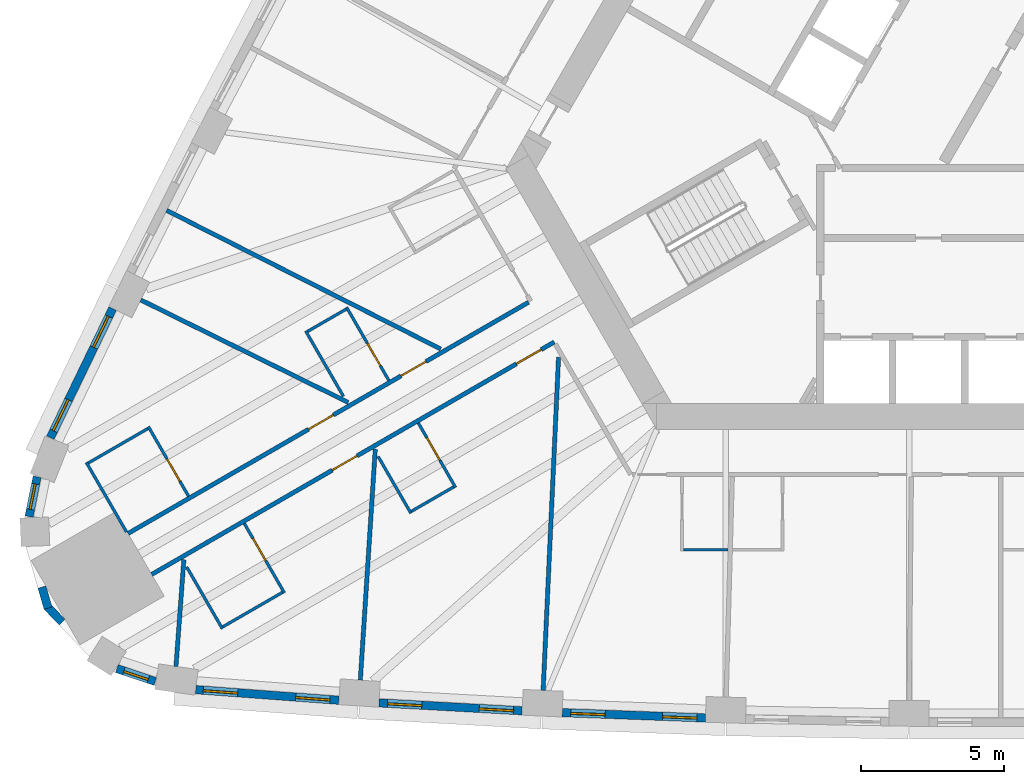
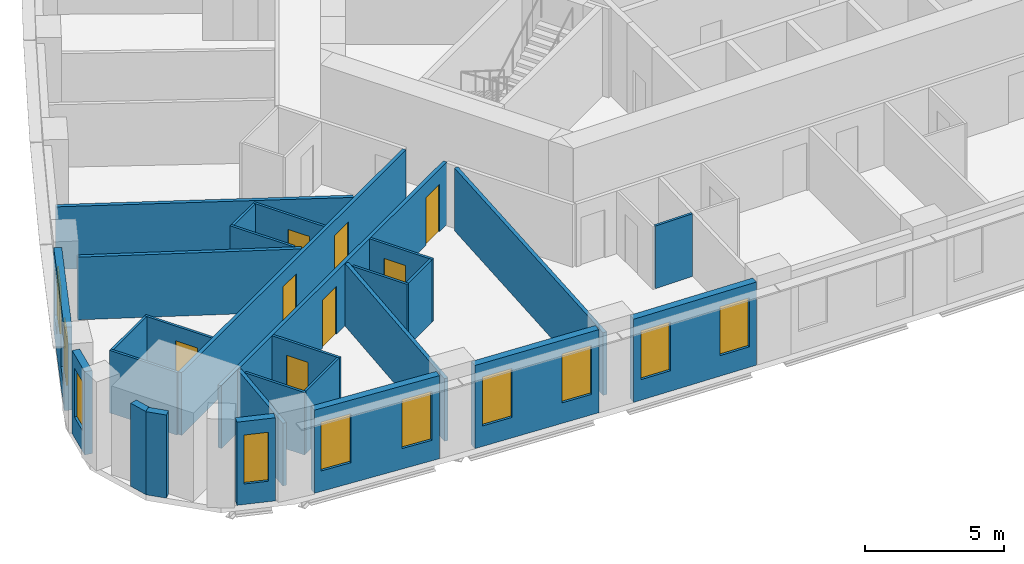
# One storey, part 3 of 13: 28 walls, 10 windows, 8 doors, 18 openings.
"""IFC4 building model written with IfcOpenShell, lengths in metres."""

from ifc_helpers import new_model, si_unit, direction, frame, frame_2d, origin, place, context, subcontext, project, spatial, rectangle, extrude, material, layer, layer_set, type_object, element, fill, save


model = new_model("IFC4")

# Units and contexts
model_context = context("Model", 3, precision=1e-05, world=origin(), true_north=direction((0.0, 1.0)))
body_context = subcontext(model_context, "Body", "Model", "MODEL_VIEW")
ifc_project = project(units=[si_unit("LENGTHUNIT", "METRE"), si_unit("AREAUNIT", "SQUARE_METRE"), si_unit("VOLUMEUNIT", "CUBIC_METRE"), si_unit("PLANEANGLEUNIT", "RADIAN"), si_unit("MASSUNIT", "GRAM", prefix="KILO")], contexts=[model_context])

# Site, building, storey
site_placement = place(None, origin())
site = spatial("IfcSite", under=ifc_project, at=site_placement, CompositionType="ELEMENT")
building_placement = place(site_placement, origin())
building = spatial("IfcBuilding", under=site, at=building_placement, Name="Mestral Congress Tower", CompositionType="ELEMENT")
storey_placement = place(building_placement, frame((0.0, 0.0, 31.5)))
storey = spatial("IfcBuildingStorey", under=building, at=storey_placement, Name="L06", CompositionType="ELEMENT", Elevation=31.5)

# Wall, openings, windows
ifc_material_1 = material(Name="Precast concrete C40/50 with limestone facing", Category="masonry")
ifc_layer_1 = layer(ifc_material_1, 0.2900390625)
ifc_layer_set_1 = layer_set([ifc_layer_1], Name="Precast concrete C40/50 with limestone facing")
wall_type_1 = type_object("IfcWallType", Name="Facade stone wall 290", PredefinedType="SOLIDWALL", material=ifc_layer_set_1)
wall_1_placement = place(storey_placement, frame((-28.097900390625, -22.086181640625, 0.0), z_axis=(0.0, 0.0, 1.0), x_axis=(0.997266290399, -0.073891447643, 0.0)))
wall_1 = element("IfcWall", 1, at=wall_1_placement, inside=storey, type_object=wall_type_1, Name="Facade wall F0-00", PredefinedType="SOLIDWALL", context=body_context, shape_type="SweptSolid", body=[
    extrude(rectangle(XDim=5.005615234375, YDim=0.2900390625, at=frame_2d((2.5029296875, 0.0))), origin(), (0.0, 0.0, 1.0), 3.64990234375),
])
opening_1_placement = place(wall_1_placement, frame((0.26513671875, 0.0, 0.89990234375)))
opening_1 = element("IfcOpeningElement", 2, at=opening_1_placement, cuts=wall_1, Name="Opening W1", PredefinedType="OPENING", context=body_context, shape_type="SweptSolid", body=[
    extrude(rectangle(XDim=1.199951171875, YDim=2.14990234375, at=frame_2d((0.60009765625, 1.074951171875))), frame((0.0, 0.155029296875, 0.0), z_axis=(0.0, -1.0, 0.0), x_axis=(1.0, 0.0, 0.0)), (0.0, 0.0, 1.0), 0.31005859375),
])
opening_2_placement = place(wall_1_placement, frame((3.49560546875, 0.0, 0.89990234375)))
opening_2 = element("IfcOpeningElement", 3, at=opening_2_placement, cuts=wall_1, Name="Opening W1", PredefinedType="OPENING", context=body_context, shape_type="SweptSolid", body=[
    extrude(rectangle(XDim=1.199951171875, YDim=2.14990234375, at=frame_2d((0.60009765625, 1.074951171875))), frame((0.0, 0.155029296875, 0.0), z_axis=(0.0, -1.0, 0.0), x_axis=(1.0, 0.0, 0.0)), (0.0, 0.0, 1.0), 0.31005859375),
])
ifc_material_2 = material(Name="Clear low-emissivity double glazing", Category="glass")
window_type_1 = type_object("IfcWindowType", Name="Facade punched window 1200 x 2150 sill 900", PartitioningType="DOUBLE_PANEL_VERTICAL", PredefinedType="WINDOW", material=ifc_material_2)
window_1_placement = place(opening_1_placement, origin())
window_1 = element("IfcWindow", 4, at=window_1_placement, inside=storey, type_object=window_type_1, Name="Window F0-00a", OverallHeight=2.14990234375, OverallWidth=1.199951171875, PartitioningType="DOUBLE_PANEL_VERTICAL", PredefinedType="WINDOW", context=body_context, shape_type="SweptSolid", body=[
    extrude(rectangle(XDim=1.199951171875, YDim=2.14990234375, at=frame_2d((0.60009765625, 1.074951171875))), frame((0.0, 0.01513671875, 0.0), z_axis=(0.0, -1.0, 0.0), x_axis=(1.0, 0.0, 0.0)), (0.0, 0.0, 1.0), 0.06005859375),
])
fill(opening_1, window_1)
window_2_placement = place(opening_2_placement, origin())
window_2 = element("IfcWindow", 5, at=window_2_placement, inside=storey, type_object=window_type_1, Name="Window F0-00b", OverallHeight=2.14990234375, OverallWidth=1.199951171875, PartitioningType="DOUBLE_PANEL_VERTICAL", PredefinedType="WINDOW", context=body_context, shape_type="SweptSolid", body=[
    extrude(rectangle(XDim=1.199951171875, YDim=2.14990234375, at=frame_2d((0.60009765625, 1.074951171875))), frame((0.0, 0.01513671875, 0.0), z_axis=(0.0, -1.0, 0.0), x_axis=(1.0, 0.0, 0.0)), (0.0, 0.0, 1.0), 0.06005859375),
])
fill(opening_2, window_2)

wall_2_placement = place(storey_placement, frame((-21.701416015625, -22.547119140625, 0.0), z_axis=(0.0, 0.0, 1.0), x_axis=(0.998464708705, -0.055391564976, 0.0)))
wall_2 = element("IfcWall", 6, at=wall_2_placement, inside=storey, type_object=wall_type_1, Name="Facade wall F0-01", PredefinedType="SOLIDWALL", context=body_context, shape_type="SweptSolid", body=[
    extrude(rectangle(XDim=4.998046875, YDim=0.2900390625, at=frame_2d((2.4990234375, 0.0))), origin(), (0.0, 0.0, 1.0), 3.64990234375),
])
opening_3_placement = place(wall_2_placement, frame((0.297119140625, 0.0, 0.89990234375)))
opening_3 = element("IfcOpeningElement", 7, at=opening_3_placement, cuts=wall_2, Name="Opening W1", PredefinedType="OPENING", context=body_context, shape_type="SweptSolid", body=[
    extrude(rectangle(XDim=1.199951171875, YDim=2.14990234375, at=frame_2d((0.60009765625, 1.074951171875))), frame((0.0, 0.155029296875, 0.0), z_axis=(0.0, -1.0, 0.0), x_axis=(1.0, 0.0, 0.0)), (0.0, 0.0, 1.0), 0.31005859375),
])
opening_4_placement = place(wall_2_placement, frame((3.501220703125, 0.0, 0.89990234375)))
opening_4 = element("IfcOpeningElement", 8, at=opening_4_placement, cuts=wall_2, Name="Opening W1", PredefinedType="OPENING", context=body_context, shape_type="SweptSolid", body=[
    extrude(rectangle(XDim=1.199951171875, YDim=2.14990234375, at=frame_2d((0.60009765625, 1.074951171875))), frame((0.0, 0.155029296875, 0.0), z_axis=(0.0, -1.0, 0.0), x_axis=(1.0, 0.0, 0.0)), (0.0, 0.0, 1.0), 0.31005859375),
])
window_3_placement = place(opening_3_placement, origin())
window_3 = element("IfcWindow", 9, at=window_3_placement, inside=storey, type_object=window_type_1, Name="Window F0-01a", OverallHeight=2.14990234375, OverallWidth=1.199951171875, PartitioningType="DOUBLE_PANEL_VERTICAL", PredefinedType="WINDOW", context=body_context, shape_type="SweptSolid", body=[
    extrude(rectangle(XDim=1.199951171875, YDim=2.14990234375, at=frame_2d((0.60009765625, 1.074951171875))), frame((0.0, 0.01513671875, 0.0), z_axis=(0.0, -1.0, 0.0), x_axis=(1.0, 0.0, 0.0)), (0.0, 0.0, 1.0), 0.06005859375),
])
fill(opening_3, window_3)
window_4_placement = place(opening_4_placement, origin())
window_4 = element("IfcWindow", 10, at=window_4_placement, inside=storey, type_object=window_type_1, Name="Window F0-01b", OverallHeight=2.14990234375, OverallWidth=1.199951171875, PartitioningType="DOUBLE_PANEL_VERTICAL", PredefinedType="WINDOW", context=body_context, shape_type="SweptSolid", body=[
    extrude(rectangle(XDim=1.199951171875, YDim=2.14990234375, at=frame_2d((0.60009765625, 1.074951171875))), frame((0.0, 0.01513671875, 0.0), z_axis=(0.0, -1.0, 0.0), x_axis=(1.0, 0.0, 0.0)), (0.0, 0.0, 1.0), 0.06005859375),
])
fill(opening_4, window_4)

wall_3_placement = place(storey_placement, frame((-15.30517578125, -22.88916015625, 0.0), z_axis=(0.0, 0.0, 1.0), x_axis=(0.999317974969, -0.036926750529, 0.0)))
wall_3 = element("IfcWall", 11, at=wall_3_placement, inside=storey, type_object=wall_type_1, Name="Facade wall F0-02", PredefinedType="SOLIDWALL", context=body_context, shape_type="SweptSolid", body=[
    extrude(rectangle(XDim=4.998291015625, YDim=0.2900390625, at=frame_2d((2.4990234375, 0.0))), origin(), (0.0, 0.0, 1.0), 3.64990234375),
])
opening_5_placement = place(wall_3_placement, frame((0.297119140625, 0.0, 0.89990234375)))
opening_5 = element("IfcOpeningElement", 12, at=opening_5_placement, cuts=wall_3, Name="Opening W1", PredefinedType="OPENING", context=body_context, shape_type="SweptSolid", body=[
    extrude(rectangle(XDim=1.199951171875, YDim=2.14990234375, at=frame_2d((0.60009765625, 1.074951171875))), frame((0.0, 0.155029296875, 0.0), z_axis=(0.0, -1.0, 0.0), x_axis=(1.0, 0.0, 0.0)), (0.0, 0.0, 1.0), 0.31005859375),
])
opening_6_placement = place(wall_3_placement, frame((3.501220703125, 0.0, 0.89990234375)))
opening_6 = element("IfcOpeningElement", 13, at=opening_6_placement, cuts=wall_3, Name="Opening W1", PredefinedType="OPENING", context=body_context, shape_type="SweptSolid", body=[
    extrude(rectangle(XDim=1.199951171875, YDim=2.14990234375, at=frame_2d((0.60009765625, 1.074951171875))), frame((0.0, 0.155029296875, 0.0), z_axis=(0.0, -1.0, 0.0), x_axis=(1.0, 0.0, 0.0)), (0.0, 0.0, 1.0), 0.31005859375),
])
window_5_placement = place(opening_5_placement, origin())
window_5 = element("IfcWindow", 14, at=window_5_placement, inside=storey, type_object=window_type_1, Name="Window F0-02a", OverallHeight=2.14990234375, OverallWidth=1.199951171875, PartitioningType="DOUBLE_PANEL_VERTICAL", PredefinedType="WINDOW", context=body_context, shape_type="SweptSolid", body=[
    extrude(rectangle(XDim=1.199951171875, YDim=2.14990234375, at=frame_2d((0.60009765625, 1.074951171875))), frame((0.0, 0.01513671875, 0.0), z_axis=(0.0, -1.0, 0.0), x_axis=(1.0, 0.0, 0.0)), (0.0, 0.0, 1.0), 0.06005859375),
])
fill(opening_5, window_5)
window_6_placement = place(opening_6_placement, origin())
window_6 = element("IfcWindow", 15, at=window_6_placement, inside=storey, type_object=window_type_1, Name="Window F0-02b", OverallHeight=2.14990234375, OverallWidth=1.199951171875, PartitioningType="DOUBLE_PANEL_VERTICAL", PredefinedType="WINDOW", context=body_context, shape_type="SweptSolid", body=[
    extrude(rectangle(XDim=1.199951171875, YDim=2.14990234375, at=frame_2d((0.60009765625, 1.074951171875))), frame((0.0, 0.01513671875, 0.0), z_axis=(0.0, -1.0, 0.0), x_axis=(1.0, 0.0, 0.0)), (0.0, 0.0, 1.0), 0.06005859375),
])
fill(opening_6, window_6)

wall_4_placement = place(storey_placement, frame((-31.000244140625, -8.7822265625, 0.0), z_axis=(0.0, 0.0, 1.0), x_axis=(-0.434664499056, -0.900592456808, 0.0)))
wall_4 = element("IfcWall", 16, at=wall_4_placement, inside=storey, type_object=wall_type_1, Name="Facade wall F2-08", PredefinedType="SOLIDWALL", context=body_context, shape_type="SweptSolid", body=[
    extrude(rectangle(XDim=5.005615234375, YDim=0.2900390625, at=frame_2d((2.5029296875, 0.0))), origin(), (0.0, 0.0, 1.0), 3.64990234375),
])
opening_7_placement = place(wall_4_placement, frame((0.310302734375, 0.0, 0.89990234375)))
opening_7 = element("IfcOpeningElement", 17, at=opening_7_placement, cuts=wall_4, Name="Opening W1", PredefinedType="OPENING", context=body_context, shape_type="SweptSolid", body=[
    extrude(rectangle(XDim=1.199951171875, YDim=2.14990234375, at=frame_2d((0.60009765625, 1.074951171875))), frame((0.0, 0.155029296875, 0.0), z_axis=(0.0, -1.0, 0.0), x_axis=(1.0, 0.0, 0.0)), (0.0, 0.0, 1.0), 0.31005859375),
])
opening_8_placement = place(wall_4_placement, frame((3.54052734375, 0.0, 0.89990234375)))
opening_8 = element("IfcOpeningElement", 18, at=opening_8_placement, cuts=wall_4, Name="Opening W1", PredefinedType="OPENING", context=body_context, shape_type="SweptSolid", body=[
    extrude(rectangle(XDim=1.199951171875, YDim=2.14990234375, at=frame_2d((0.60009765625, 1.074951171875))), frame((0.0, 0.155029296875, 0.0), z_axis=(0.0, -1.0, 0.0), x_axis=(1.0, 0.0, 0.0)), (0.0, 0.0, 1.0), 0.31005859375),
])
window_7_placement = place(opening_7_placement, origin())
window_7 = element("IfcWindow", 19, at=window_7_placement, inside=storey, type_object=window_type_1, Name="Window F2-08a", OverallHeight=2.14990234375, OverallWidth=1.199951171875, PartitioningType="DOUBLE_PANEL_VERTICAL", PredefinedType="WINDOW", context=body_context, shape_type="SweptSolid", body=[
    extrude(rectangle(XDim=1.199951171875, YDim=2.14990234375, at=frame_2d((0.60009765625, 1.074951171875))), frame((0.0, 0.01513671875, 0.0), z_axis=(0.0, -1.0, 0.0), x_axis=(1.0, 0.0, 0.0)), (0.0, 0.0, 1.0), 0.06005859375),
])
fill(opening_7, window_7)
window_8_placement = place(opening_8_placement, origin())
window_8 = element("IfcWindow", 20, at=window_8_placement, inside=storey, type_object=window_type_1, Name="Window F2-08b", OverallHeight=2.14990234375, OverallWidth=1.199951171875, PartitioningType="DOUBLE_PANEL_VERTICAL", PredefinedType="WINDOW", context=body_context, shape_type="SweptSolid", body=[
    extrude(rectangle(XDim=1.199951171875, YDim=2.14990234375, at=frame_2d((0.60009765625, 1.074951171875))), frame((0.0, 0.01513671875, 0.0), z_axis=(0.0, -1.0, 0.0), x_axis=(1.0, 0.0, 0.0)), (0.0, 0.0, 1.0), 0.06005859375),
])
fill(opening_8, window_8)

# Wall, opening, window
wall_5_placement = place(storey_placement, frame((-33.63720703125, -14.656982421875, 0.0), z_axis=(0.0, 0.0, 1.0), x_axis=(-0.198106888228, -0.980180422594, 0.0)))
wall_5 = element("IfcWall", 21, at=wall_5_placement, inside=storey, type_object=wall_type_1, Name="Facade wall K2-0", PredefinedType="SOLIDWALL", context=body_context, shape_type="SweptSolid", body=[
    extrude(rectangle(XDim=1.414794921875, YDim=0.2900390625, at=frame_2d((0.70751953125, 0.0))), origin(), (0.0, 0.0, 1.0), 3.64990234375),
])
opening_9_placement = place(wall_5_placement, frame((0.25732421875, 0.0, 0.89990234375)))
opening_9 = element("IfcOpeningElement", 22, at=opening_9_placement, cuts=wall_5, Name="Opening W3", PredefinedType="OPENING", context=body_context, shape_type="SweptSolid", body=[
    extrude(rectangle(XDim=0.89990234375, YDim=2.14990234375, at=frame_2d((0.449951171875, 1.074951171875))), frame((0.0, 0.155029296875, 0.0), z_axis=(0.0, -1.0, 0.0), x_axis=(1.0, 0.0, 0.0)), (0.0, 0.0, 1.0), 0.31005859375),
])
window_type_2 = type_object("IfcWindowType", Name="Facade punched window 900 x 2150 sill 900", PartitioningType="SINGLE_PANEL", PredefinedType="WINDOW", material=ifc_material_2)
window_9_placement = place(opening_9_placement, origin())
window_9 = element("IfcWindow", 23, at=window_9_placement, inside=storey, type_object=window_type_2, Name="Window K2-0", OverallHeight=2.14990234375, OverallWidth=0.89990234375, PartitioningType="SINGLE_PANEL", PredefinedType="WINDOW", context=body_context, shape_type="SweptSolid", body=[
    extrude(rectangle(XDim=0.89990234375, YDim=2.14990234375, at=frame_2d((0.449951171875, 1.074951171875))), frame((0.0, 0.01513671875, 0.0), z_axis=(0.0, -1.0, 0.0), x_axis=(1.0, 0.0, 0.0)), (0.0, 0.0, 1.0), 0.06005859375),
])
fill(opening_9, window_9)

# Walls
for number, where, z_axis, x_axis, name in (
    (24, (-33.4697265625, -18.507080078125, 0.0), (0.0, 0.0, 1.0), (0.278981320915, -0.960296528464, 0.0), "Facade wall K2-1"),
    (25, (-33.291259765625, -19.180908203125, 0.0), (0.0, 0.0, 1.0), (0.692252359589, -0.721655506903, 0.0), "Facade wall K2-2"),
):
    element("IfcWall", number, at=place(storey_placement, frame(where, z_axis=z_axis, x_axis=x_axis)), inside=storey, type_object=wall_type_1, Name=name, PredefinedType="SOLIDWALL", context=body_context, shape_type="SweptSolid", body=[
        extrude(rectangle(XDim=0.763916015625, YDim=0.2900390625, at=frame_2d((0.3818359375, 0.0))), origin(), (0.0, 0.0, 1.0), 3.64990234375),
    ])

# Wall, opening, window
wall_6_placement = place(storey_placement, frame((-30.852783203125, -21.3515625, 0.0), z_axis=(0.0, 0.0, 1.0), x_axis=(0.947903891592, -0.318556450734, 0.0)))
wall_6 = element("IfcWall", 26, at=wall_6_placement, inside=storey, type_object=wall_type_1, Name="Facade wall K2-3", PredefinedType="SOLIDWALL", context=body_context, shape_type="SweptSolid", body=[
    extrude(rectangle(XDim=1.414794921875, YDim=0.2900390625, at=frame_2d((0.70751953125, 0.0))), origin(), (0.0, 0.0, 1.0), 3.64990234375),
])
opening_10_placement = place(wall_6_placement, frame((0.25732421875, 0.0, 0.89990234375)))
opening_10 = element("IfcOpeningElement", 27, at=opening_10_placement, cuts=wall_6, Name="Opening W3", PredefinedType="OPENING", context=body_context, shape_type="SweptSolid", body=[
    extrude(rectangle(XDim=0.89990234375, YDim=2.14990234375, at=frame_2d((0.449951171875, 1.074951171875))), frame((0.0, 0.155029296875, 0.0), z_axis=(0.0, -1.0, 0.0), x_axis=(1.0, 0.0, 0.0)), (0.0, 0.0, 1.0), 0.31005859375),
])
window_10_placement = place(opening_10_placement, origin())
window_10 = element("IfcWindow", 28, at=window_10_placement, inside=storey, type_object=window_type_2, Name="Window K2-3", OverallHeight=2.14990234375, OverallWidth=0.89990234375, PartitioningType="SINGLE_PANEL", PredefinedType="WINDOW", context=body_context, shape_type="SweptSolid", body=[
    extrude(rectangle(XDim=0.89990234375, YDim=2.14990234375, at=frame_2d((0.449951171875, 1.074951171875))), frame((0.0, 0.01513671875, 0.0), z_axis=(0.0, -1.0, 0.0), x_axis=(1.0, 0.0, 0.0)), (0.0, 0.0, 1.0), 0.06005859375),
])
fill(opening_10, window_10)

# Wall, opening, door
ifc_material_3 = material(Name="Gypsum board partition on metal studs with mineral wool", Category="composite")
ifc_layer_2 = layer(ifc_material_3, 0.10009765625)
ifc_layer_set_2 = layer_set([ifc_layer_2], Name="Gypsum board partition on metal studs with mineral wool")
wall_type_2 = type_object("IfcWallType", Name="Hotel partition wall 100", PredefinedType="PARTITIONING", material=ifc_layer_set_2)
wall_7_placement = place(storey_placement, frame((-25.0048828125, -18.708984375, 0.0), z_axis=(0.0, 0.0, 1.0), x_axis=(-0.49998411664, 0.866034573852, 0.0)))
wall_7 = element("IfcWall", 29, at=wall_7_placement, inside=storey, type_object=wall_type_2, Name="L06-h-pod01a", PredefinedType="PARTITIONING", context=body_context, shape_type="SweptSolid", body=[
    extrude(rectangle(XDim=2.7998046875, YDim=0.10009765625, at=frame_2d((1.39990234375, 0.0))), origin(), (0.0, 0.0, 1.0), 2.75),
])
opening_11_placement = place(wall_7_placement, frame((1.300048828125, 0.0, 0.0)))
opening_11 = element("IfcOpeningElement", 30, at=opening_11_placement, cuts=wall_7, Name="Opening H01-002", PredefinedType="OPENING", context=body_context, shape_type="SweptSolid", body=[
    extrude(rectangle(XDim=0.89990234375, YDim=2.10009765625, at=frame_2d((0.449951171875, 1.050048828125))), frame((0.0, 0.06005859375, 0.0), z_axis=(0.0, -1.0, 0.0), x_axis=(1.0, 0.0, 0.0)), (0.0, 0.0, 1.0), 0.1201171875),
])
ifc_material_4 = material(Name="Timber veneer door leaf in timber frame", Category="wood")
door_type_1 = type_object("IfcDoorType", Name="Bathroom door 900", OperationType="SINGLE_SWING_LEFT", PredefinedType="DOOR", material=ifc_material_4)
door_1_placement = place(opening_11_placement, origin())
door_1 = element("IfcDoor", 31, at=door_1_placement, inside=storey, type_object=door_type_1, Name="L06-h-d002", OperationType="SINGLE_SWING_LEFT", OverallHeight=2.10009765625, OverallWidth=0.89990234375, PredefinedType="DOOR", context=body_context, shape_type="SweptSolid", body=[
    extrude(rectangle(XDim=0.89990234375, YDim=2.10009765625, at=frame_2d((0.449951171875, 1.050048828125))), frame((0.0, 0.02490234375, 0.0), z_axis=(0.0, -1.0, 0.0), x_axis=(1.0, 0.0, 0.0)), (0.0, 0.0, 1.0), 0.050048828125),
])
fill(opening_11, door_1)

# Walls
wall_8_placement = place(storey_placement, frame((-25.072998046875, -18.690673828125, 0.0), z_axis=(0.0, 0.0, 1.0), x_axis=(-0.866050077142, -0.499957262057, 0.0)))
element("IfcWall", 32, at=wall_8_placement, inside=storey, type_object=wall_type_2, Name="L06-h-pod01b", PredefinedType="PARTITIONING", context=body_context, shape_type="SweptSolid", body=[
    extrude(rectangle(XDim=2.400146484375, YDim=0.10009765625, at=frame_2d((1.2001953125, 0.0))), origin(), (0.0, 0.0, 1.0), 2.75),
])
wall_9_placement = place(storey_placement, frame((-28.414794921875, -17.802490234375, 0.0), z_axis=(0.0, 0.0, 1.0), x_axis=(0.499945955465, -0.866056604163, 0.0)))
element("IfcWall", 33, at=wall_9_placement, inside=storey, type_object=wall_type_2, Name="L06-h-pod01c", PredefinedType="PARTITIONING", context=body_context, shape_type="SweptSolid", body=[
    extrude(rectangle(XDim=2.489990234375, YDim=0.10009765625, at=frame_2d((1.2451171875, 0.0))), origin(), (0.0, 0.0, 1.0), 2.75),
])

# Wall, opening, door
wall_10_placement = place(storey_placement, frame((-19.030029296875, -15.028564453125, 0.0), z_axis=(0.0, 0.0, 1.0), x_axis=(-0.500006934395, 0.866021400173, 0.0)))
wall_10 = element("IfcWall", 34, at=wall_10_placement, inside=storey, type_object=wall_type_2, Name="L06-h-pod02a", PredefinedType="PARTITIONING", context=body_context, shape_type="SweptSolid", body=[
    extrude(rectangle(XDim=2.60009765625, YDim=0.10009765625, at=frame_2d((1.300048828125, 0.0))), origin(), (0.0, 0.0, 1.0), 2.75),
])
opening_12_placement = place(wall_10_placement, frame((1.10009765625, 0.0, 0.0)))
opening_12 = element("IfcOpeningElement", 35, at=opening_12_placement, cuts=wall_10, Name="Opening H01-004", PredefinedType="OPENING", context=body_context, shape_type="SweptSolid", body=[
    extrude(rectangle(XDim=0.89990234375, YDim=2.10009765625, at=frame_2d((0.449951171875, 1.050048828125))), frame((0.0, 0.06005859375, 0.0), z_axis=(0.0, -1.0, 0.0), x_axis=(1.0, 0.0, 0.0)), (0.0, 0.0, 1.0), 0.1201171875),
])
door_2_placement = place(opening_12_placement, origin())
door_2 = element("IfcDoor", 36, at=door_2_placement, inside=storey, type_object=door_type_1, Name="L06-h-d004", OperationType="SINGLE_SWING_LEFT", OverallHeight=2.10009765625, OverallWidth=0.89990234375, PredefinedType="DOOR", context=body_context, shape_type="SweptSolid", body=[
    extrude(rectangle(XDim=0.89990234375, YDim=2.10009765625, at=frame_2d((0.449951171875, 1.050048828125))), frame((0.0, 0.02490234375, 0.0), z_axis=(0.0, -1.0, 0.0), x_axis=(1.0, 0.0, 0.0)), (0.0, 0.0, 1.0), 0.050048828125),
])
fill(opening_12, door_2)

# Walls
wall_11_placement = place(storey_placement, frame((-19.098388671875, -15.01025390625, 0.0), z_axis=(0.0, 0.0, 1.0), x_axis=(-0.86605165483, -0.499954529098, 0.0)))
element("IfcWall", 37, at=wall_11_placement, inside=storey, type_object=wall_type_2, Name="L06-h-pod02b", PredefinedType="PARTITIONING", context=body_context, shape_type="SweptSolid", body=[
    extrude(rectangle(XDim=1.699951171875, YDim=0.10009765625, at=frame_2d((0.85009765625, 0.0))), origin(), (0.0, 0.0, 1.0), 2.75),
])
wall_12_placement = place(storey_placement, frame((-21.73388671875, -13.9453125, 0.0), z_axis=(0.0, 0.0, 1.0), x_axis=(0.500014693593, -0.866016920268, 0.0)))
element("IfcWall", 38, at=wall_12_placement, inside=storey, type_object=wall_type_2, Name="L06-h-pod02c", PredefinedType="PARTITIONING", context=body_context, shape_type="SweptSolid", body=[
    extrude(rectangle(XDim=2.2900390625, YDim=0.10009765625, at=frame_2d((1.14501953125, 0.0))), origin(), (0.0, 0.0, 1.0), 2.75),
])
wall_13_placement = place(storey_placement, frame((-11.07666015625, -17.199951171875, 0.0), z_axis=(0.0, 0.0, 1.0), x_axis=(1.0, 0.0, 0.0)))
element("IfcWall", 39, at=wall_13_placement, inside=storey, type_object=wall_type_2, Name="L06-h-pod03b", PredefinedType="PARTITIONING", context=body_context, shape_type="SweptSolid", body=[
    extrude(rectangle(XDim=1.550048828125, YDim=0.10009765625, at=frame_2d((0.77490234375, 0.0))), origin(), (0.0, 0.0, 1.0), 2.75),
])

# Wall, opening, door
wall_14_placement = place(storey_placement, frame((-21.360107421875, -11.29296875, 0.0), z_axis=(0.0, 0.0, 1.0), x_axis=(-0.49997559174, 0.866039495442, 0.0)))
wall_14 = element("IfcWall", 40, at=wall_14_placement, inside=storey, type_object=wall_type_2, Name="L06-h-pod29a", PredefinedType="PARTITIONING", context=body_context, shape_type="SweptSolid", body=[
    extrude(rectangle(XDim=2.949951171875, YDim=0.10009765625, at=frame_2d((1.47509765625, 0.0))), origin(), (0.0, 0.0, 1.0), 2.75),
])
opening_13_placement = place(wall_14_placement, frame((0.60009765625, 0.0, 0.0)))
opening_13 = element("IfcOpeningElement", 41, at=opening_13_placement, cuts=wall_14, Name="Opening H01-055", PredefinedType="OPENING", context=body_context, shape_type="SweptSolid", body=[
    extrude(rectangle(XDim=0.89990234375, YDim=2.10009765625, at=frame_2d((0.449951171875, 1.050048828125))), frame((0.0, 0.06005859375, 0.0), z_axis=(0.0, -1.0, 0.0), x_axis=(1.0, 0.0, 0.0)), (0.0, 0.0, 1.0), 0.1201171875),
])
door_3_placement = place(opening_13_placement, origin())
door_3 = element("IfcDoor", 42, at=door_3_placement, inside=storey, type_object=door_type_1, Name="L06-h-d055", OperationType="SINGLE_SWING_LEFT", OverallHeight=2.10009765625, OverallWidth=0.89990234375, PredefinedType="DOOR", context=body_context, shape_type="SweptSolid", body=[
    extrude(rectangle(XDim=0.89990234375, YDim=2.10009765625, at=frame_2d((0.449951171875, 1.050048828125))), frame((0.0, 0.02490234375, 0.0), z_axis=(0.0, -1.0, 0.0), x_axis=(1.0, 0.0, 0.0)), (0.0, 0.0, 1.0), 0.050048828125),
])
fill(opening_13, door_3)

# Walls
wall_15_placement = place(storey_placement, frame((-22.853271484375, -8.806396484375, 0.0), z_axis=(0.0, 0.0, 1.0), x_axis=(-0.86601511528, -0.500017819788, 0.0)))
element("IfcWall", 43, at=wall_15_placement, inside=storey, type_object=wall_type_2, Name="L06-h-pod29b", PredefinedType="PARTITIONING", context=body_context, shape_type="SweptSolid", body=[
    extrude(rectangle(XDim=1.55029296875, YDim=0.10009765625, at=frame_2d((0.775146484375, 0.0))), origin(), (0.0, 0.0, 1.0), 2.75),
])
wall_16_placement = place(storey_placement, frame((-22.944091796875, -11.849609375, 0.0), z_axis=(0.0, 0.0, 1.0), x_axis=(-0.499938597367, 0.866060851709, 0.0)))
element("IfcWall", 44, at=wall_16_placement, inside=storey, type_object=wall_type_2, Name="L06-h-pod29c", PredefinedType="PARTITIONING", context=body_context, shape_type="SweptSolid", body=[
    extrude(rectangle(XDim=2.639892578125, YDim=0.10009765625, at=frame_2d((1.31982421875, 0.0))), origin(), (0.0, 0.0, 1.0), 2.75),
])

# Wall, opening, door
wall_17_placement = place(storey_placement, frame((-28.352294921875, -15.330078125, 0.0), z_axis=(0.0, 0.0, 1.0), x_axis=(-0.500049511043, 0.865996816683, 0.0)))
wall_17 = element("IfcWall", 45, at=wall_17_placement, inside=storey, type_object=wall_type_2, Name="L06-h-pod30a", PredefinedType="PARTITIONING", context=body_context, shape_type="SweptSolid", body=[
    extrude(rectangle(XDim=2.800048828125, YDim=0.10009765625, at=frame_2d((1.39990234375, 0.0))), origin(), (0.0, 0.0, 1.0), 2.75),
])
opening_14_placement = place(wall_17_placement, frame((0.60009765625, 0.0, 0.0)))
opening_14 = element("IfcOpeningElement", 46, at=opening_14_placement, cuts=wall_17, Name="Opening H01-057", PredefinedType="OPENING", context=body_context, shape_type="SweptSolid", body=[
    extrude(rectangle(XDim=0.89990234375, YDim=2.10009765625, at=frame_2d((0.449951171875, 1.050048828125))), frame((0.0, 0.06005859375, 0.0), z_axis=(0.0, -1.0, 0.0), x_axis=(1.0, 0.0, 0.0)), (0.0, 0.0, 1.0), 0.1201171875),
])
door_4_placement = place(opening_14_placement, origin())
door_4 = element("IfcDoor", 47, at=door_4_placement, inside=storey, type_object=door_type_1, Name="L06-h-d057", OperationType="SINGLE_SWING_RIGHT", OverallHeight=2.10009765625, OverallWidth=0.89990234375, PredefinedType="DOOR", context=body_context, shape_type="SweptSolid", body=[
    extrude(rectangle(XDim=0.89990234375, YDim=2.10009765625, at=frame_2d((0.449951171875, 1.050048828125))), frame((0.0, 0.02490234375, 0.0), z_axis=(0.0, -1.0, 0.0), x_axis=(1.0, 0.0, 0.0)), (0.0, 0.0, 1.0), 0.050048828125),
])
fill(opening_14, door_4)

# Walls
wall_18_placement = place(storey_placement, frame((-29.770751953125, -12.973388671875, 0.0), z_axis=(0.0, 0.0, 1.0), x_axis=(-0.865980596518, -0.500077600433, 0.0)))
element("IfcWall", 48, at=wall_18_placement, inside=storey, type_object=wall_type_2, Name="L06-h-pod30b", PredefinedType="PARTITIONING", context=body_context, shape_type="SweptSolid", body=[
    extrude(rectangle(XDim=2.39990234375, YDim=0.10009765625, at=frame_2d((1.199951171875, 0.0))), origin(), (0.0, 0.0, 1.0), 2.75),
])
wall_19_placement = place(storey_placement, frame((-30.517578125, -16.580078125, 0.0), z_axis=(0.0, 0.0, 1.0), x_axis=(-0.49998411664, 0.866034573852, 0.0)))
element("IfcWall", 49, at=wall_19_placement, inside=storey, type_object=wall_type_2, Name="L06-h-pod30c", PredefinedType="PARTITIONING", context=body_context, shape_type="SweptSolid", body=[
    extrude(rectangle(XDim=2.7998046875, YDim=0.10009765625, at=frame_2d((1.39990234375, 0.0))), origin(), (0.0, 0.0, 1.0), 2.75),
])

# Wall, openings, doors
ifc_layer_3 = layer(ifc_material_3, 0.14990234375)
ifc_layer_set_3 = layer_set([ifc_layer_3], Name="Gypsum board partition on metal studs with mineral wool")
wall_type_3 = type_object("IfcWallType", Name="Hotel partition wall 150", PredefinedType="PARTITIONING", material=ifc_layer_set_3)
wall_20_placement = place(storey_placement, frame((-30.462646484375, -16.635009765625, 0.0), z_axis=(0.0, 0.0, 1.0), x_axis=(0.866022394896, 0.500005211512, 0.0)))
wall_20 = element("IfcWall", 50, at=wall_20_placement, inside=storey, type_object=wall_type_3, Name="L06-h-cw10", PredefinedType="PARTITIONING", context=body_context, shape_type="SweptSolid", body=[
    extrude(rectangle(XDim=16.143798828125, YDim=0.14990234375, at=frame_2d((8.07177734375, 0.0))), origin(), (0.0, 0.0, 1.0), 2.75),
])
opening_15_placement = place(wall_20_placement, frame((11.004150390625, 0.0, 0.0)))
opening_15 = element("IfcOpeningElement", 51, at=opening_15_placement, cuts=wall_20, Name="Opening H01-054", PredefinedType="OPENING", context=body_context, shape_type="SweptSolid", body=[
    extrude(rectangle(XDim=1.0, YDim=2.10009765625, at=frame_2d((0.5, 1.050048828125))), frame((0.0, 0.0849609375, 0.0), z_axis=(0.0, -1.0, 0.0), x_axis=(1.0, 0.0, 0.0)), (0.0, 0.0, 1.0), 0.169921875),
])
opening_16_placement = place(wall_20_placement, frame((7.273681640625, 0.0, 0.0)))
opening_16 = element("IfcOpeningElement", 52, at=opening_16_placement, cuts=wall_20, Name="Opening H01-056", PredefinedType="OPENING", context=body_context, shape_type="SweptSolid", body=[
    extrude(rectangle(XDim=1.0, YDim=2.10009765625, at=frame_2d((0.5, 1.050048828125))), frame((0.0, 0.0849609375, 0.0), z_axis=(0.0, -1.0, 0.0), x_axis=(1.0, 0.0, 0.0)), (0.0, 0.0, 1.0), 0.169921875),
])
ifc_material_5 = material(Name="Timber veneer door leaf in metal frame", Category="wood")
door_type_2 = type_object("IfcDoorType", Name="Guest room entrance door 1000", OperationType="SINGLE_SWING_LEFT", PredefinedType="DOOR", material=ifc_material_5)
door_5_placement = place(opening_15_placement, origin())
door_5 = element("IfcDoor", 53, at=door_5_placement, inside=storey, type_object=door_type_2, Name="L06-h-d054", OperationType="SINGLE_SWING_RIGHT", OverallHeight=2.10009765625, OverallWidth=1.0, PredefinedType="DOOR", context=body_context, shape_type="SweptSolid", body=[
    extrude(rectangle(XDim=1.0, YDim=2.10009765625, at=frame_2d((0.5, 1.050048828125))), frame((0.0, 0.02490234375, 0.0), z_axis=(0.0, -1.0, 0.0), x_axis=(1.0, 0.0, 0.0)), (0.0, 0.0, 1.0), 0.050048828125),
])
fill(opening_15, door_5)
door_6_placement = place(opening_16_placement, origin())
door_6 = element("IfcDoor", 54, at=door_6_placement, inside=storey, type_object=door_type_2, Name="L06-h-d056", OperationType="SINGLE_SWING_RIGHT", OverallHeight=2.10009765625, OverallWidth=1.0, PredefinedType="DOOR", context=body_context, shape_type="SweptSolid", body=[
    extrude(rectangle(XDim=1.0, YDim=2.10009765625, at=frame_2d((0.5, 1.050048828125))), frame((0.0, 0.02490234375, 0.0), z_axis=(0.0, -1.0, 0.0), x_axis=(1.0, 0.0, 0.0)), (0.0, 0.0, 1.0), 0.050048828125),
])
fill(opening_16, door_6)

wall_21_placement = place(storey_placement, frame((-15.58740234375, -9.951904296875, 0.0), z_axis=(0.0, 0.0, 1.0), x_axis=(-0.866022197818, -0.500005552856, 0.0)))
wall_21 = element("IfcWall", 55, at=wall_21_placement, inside=storey, type_object=wall_type_3, Name="L06-h-cw11", PredefinedType="PARTITIONING", context=body_context, shape_type="SweptSolid", body=[
    extrude(rectangle(XDim=16.223876953125, YDim=0.14990234375, at=frame_2d((8.11181640625, 0.0))), origin(), (0.0, 0.0, 1.0), 2.75),
])
opening_17_placement = place(wall_21_placement, frame((7.948974609375, 0.0, 0.0)))
opening_17 = element("IfcOpeningElement", 56, at=opening_17_placement, cuts=wall_21, Name="Opening H01-001", PredefinedType="OPENING", context=body_context, shape_type="SweptSolid", body=[
    extrude(rectangle(XDim=1.0, YDim=2.10009765625, at=frame_2d((0.5, 1.050048828125))), frame((0.0, 0.0849609375, 0.0), z_axis=(0.0, -1.0, 0.0), x_axis=(1.0, 0.0, 0.0)), (0.0, 0.0, 1.0), 0.169921875),
])
opening_18_placement = place(wall_21_placement, frame((0.525146484375, 0.0, 0.0)))
opening_18 = element("IfcOpeningElement", 57, at=opening_18_placement, cuts=wall_21, Name="Opening H01-003", PredefinedType="OPENING", context=body_context, shape_type="SweptSolid", body=[
    extrude(rectangle(XDim=1.0, YDim=2.10009765625, at=frame_2d((0.5, 1.050048828125))), frame((0.0, 0.0849609375, 0.0), z_axis=(0.0, -1.0, 0.0), x_axis=(1.0, 0.0, 0.0)), (0.0, 0.0, 1.0), 0.169921875),
])
door_7_placement = place(opening_17_placement, origin())
door_7 = element("IfcDoor", 58, at=door_7_placement, inside=storey, type_object=door_type_2, Name="L06-h-d001", OperationType="SINGLE_SWING_LEFT", OverallHeight=2.10009765625, OverallWidth=1.0, PredefinedType="DOOR", context=body_context, shape_type="SweptSolid", body=[
    extrude(rectangle(XDim=1.0, YDim=2.10009765625, at=frame_2d((0.5, 1.050048828125))), frame((0.0, 0.02490234375, 0.0), z_axis=(0.0, -1.0, 0.0), x_axis=(1.0, 0.0, 0.0)), (0.0, 0.0, 1.0), 0.050048828125),
])
fill(opening_17, door_7)
door_8_placement = place(opening_18_placement, origin())
door_8 = element("IfcDoor", 59, at=door_8_placement, inside=storey, type_object=door_type_2, Name="L06-h-d003", OperationType="SINGLE_SWING_LEFT", OverallHeight=2.10009765625, OverallWidth=1.0, PredefinedType="DOOR", context=body_context, shape_type="SweptSolid", body=[
    extrude(rectangle(XDim=1.0, YDim=2.10009765625, at=frame_2d((0.5, 1.050048828125))), frame((0.0, 0.02490234375, 0.0), z_axis=(0.0, -1.0, 0.0), x_axis=(1.0, 0.0, 0.0)), (0.0, 0.0, 1.0), 0.050048828125),
])
fill(opening_18, door_8)

# Walls
wall_22_placement = place(storey_placement, frame((-28.78955078125, -21.272705078125, 0.0), z_axis=(0.0, 0.0, 1.0), x_axis=(0.07382592098, 0.997271143366, 0.0)))
element("IfcWall", 60, at=wall_22_placement, inside=storey, type_object=wall_type_3, Name="L06-h-pw01", PredefinedType="PARTITIONING", context=body_context, shape_type="SweptSolid", body=[
    extrude(rectangle(XDim=3.733642578125, YDim=0.14990234375, at=frame_2d((1.86669921875, 0.0))), origin(), (0.0, 0.0, 1.0), 2.75),
])
for number, where, z_axis, x_axis, name in (
    (61, (-30.017578125, -8.48291015625, 0.0), (0.0, 0.0, 1.0), (0.896544505264, -0.44295366584, 0.0), "L06-h-pw02"),
    (62, (-22.355224609375, -21.75439453125, 0.0), (0.0, 0.0, 1.0), (0.064639533143, 0.997908678565, 0.0), "L06-h-pw03"),
):
    element("IfcWall", number, at=place(storey_placement, frame(where, z_axis=z_axis, x_axis=x_axis)), inside=storey, type_object=wall_type_3, Name=name, PredefinedType="PARTITIONING", context=body_context, shape_type="SweptSolid", body=[
        extrude(rectangle(XDim=8.078857421875, YDim=0.14990234375, at=frame_2d((4.03955078125, 0.0))), origin(), (0.0, 0.0, 1.0), 2.75),
    ])
wall_23_placement = place(storey_placement, frame((-29.119873046875, -5.355712890625, 0.0), z_axis=(0.0, 0.0, 1.0), x_axis=(0.892401965553, -0.451241323327, 0.0)))
element("IfcWall", 63, at=wall_23_placement, inside=storey, type_object=wall_type_3, Name="L06-h-pw04", PredefinedType="PARTITIONING", context=body_context, shape_type="SweptSolid", body=[
    extrude(rectangle(XDim=10.728759765625, YDim=0.14990234375, at=frame_2d((5.3642578125, 0.0))), origin(), (0.0, 0.0, 1.0), 2.75),
])
wall_24_placement = place(storey_placement, frame((-15.973388671875, -22.10888671875, 0.0), z_axis=(0.0, 0.0, 1.0), x_axis=(0.046191717129, 0.998932592955, 0.0)))
element("IfcWall", 64, at=wall_24_placement, inside=storey, type_object=wall_type_3, Name="L06-h-pw07", PredefinedType="PARTITIONING", context=body_context, shape_type="SweptSolid", body=[
    extrude(rectangle(XDim=11.638427734375, YDim=0.14990234375, at=frame_2d((5.8193359375, 0.0))), origin(), (0.0, 0.0, 1.0), 2.75),
])

save(model, "model.ifc")
